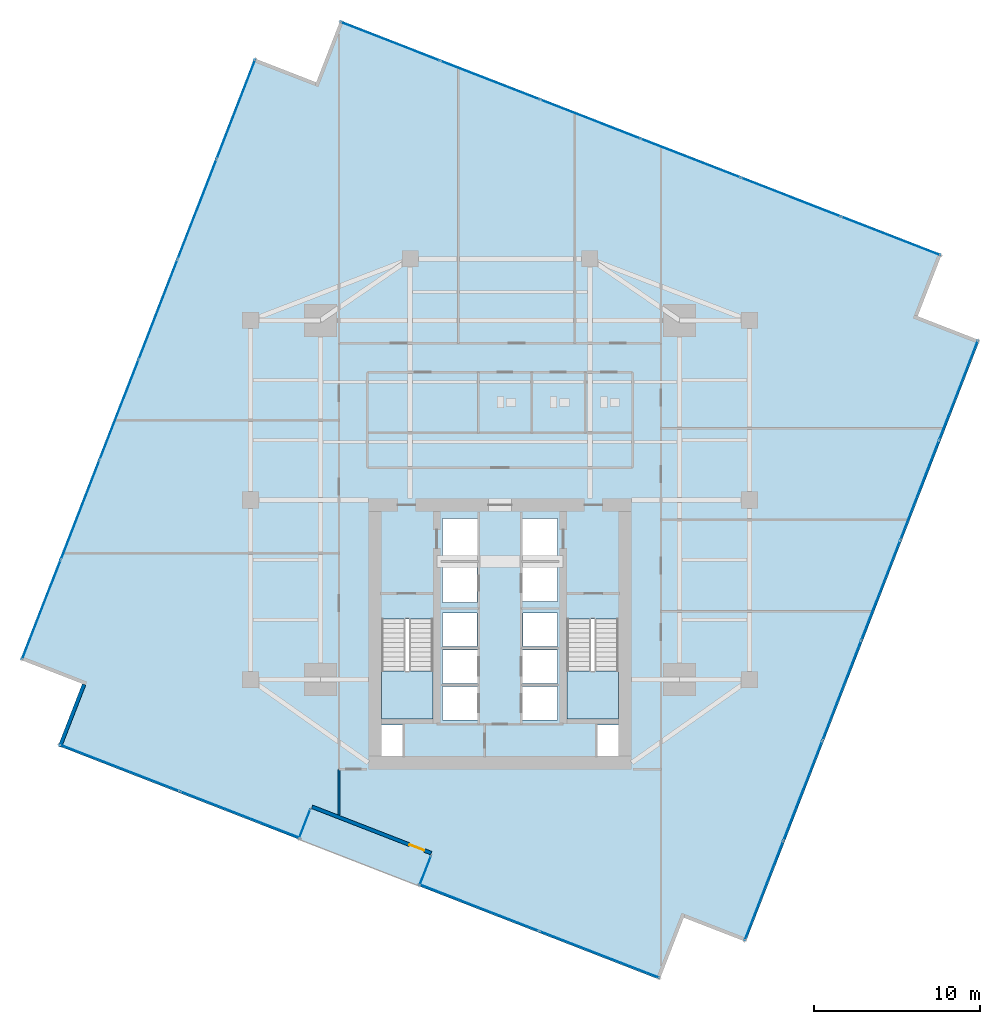
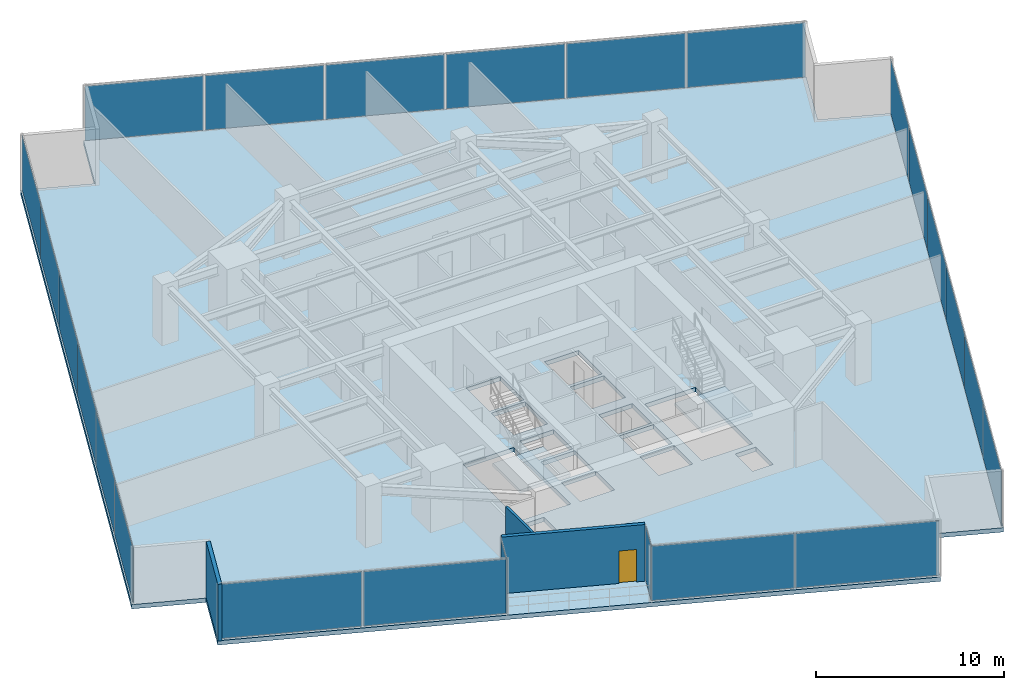
# One storey, part 21 of 26: 24 plates, 3 slabs, 3 walls, 1 door, 1 opening, 9 elements without a shape of their own.
"""IFC4 building model written with IfcOpenShell, lengths in metres."""

from ifc_helpers import new_model, si_unit, direction, frame, frame_2d, origin, origin_2d, place, context, subcontext, project, spatial, polyline, rectangle, outline, extrude, source, transform, mapped, material, layer, layer_set, type_object, type_shapes, element, fill, aggregate, save


model = new_model("IFC4")

# Units and contexts
model_context = context("Model", 3, precision=1e-05, world=origin(), true_north=direction((0.0, 1.0)))
body_context = subcontext(model_context, "Body", "Model", "MODEL_VIEW")
ifc_project = project(units=[si_unit("LENGTHUNIT", "METRE"), si_unit("AREAUNIT", "SQUARE_METRE"), si_unit("VOLUMEUNIT", "CUBIC_METRE"), si_unit("PLANEANGLEUNIT", "RADIAN"), si_unit("MASSUNIT", "GRAM", prefix="KILO")], contexts=[model_context])

# Site, building, storey
site_placement = place(None, origin())
site = spatial("IfcSite", under=ifc_project, at=site_placement, CompositionType="ELEMENT")
building_placement = place(site_placement, origin())
building = spatial("IfcBuilding", under=site, at=building_placement, Name="Krantzveldt Concourse Tower", CompositionType="ELEMENT")
storey_placement = place(building_placement, frame((0.0, 0.0, 129.550048828125)))
storey = spatial("IfcBuildingStorey", under=building, at=storey_placement, Name="L31", CompositionType="ELEMENT", Elevation=129.550048828125)

# Stair, slab
ifc_material_1 = material(Name="Precast concrete C40/50", Category="concrete")
stair_type = type_object("IfcStairType", Name="STR-CORE-DOGLEG", PredefinedType="HALF_TURN_STAIR", material=ifc_material_1)
stair_1_placement = place(storey_placement, origin())
stair_1 = element("IfcStair", 1, at=stair_1_placement, inside=storey, type_object=stair_type, Name="L31 Protected Escape Stair ST-1", PredefinedType="HALF_TURN_STAIR")
ifc_layer_1 = layer(ifc_material_1, 0.199951171875, Name="Precast concrete C40/50", Category="concrete")
ifc_layer_set_1 = layer_set([ifc_layer_1], Name="Precast concrete C40/50 (SL-LANDING-200)")
slab_type_1 = type_object("IfcSlabType", Name="SL-LANDING-200", PredefinedType="LANDING", material=ifc_layer_set_1)
slab_1_placement = place(storey_placement, frame((0.0, 0.0, 1.77490234375)))
slab_1 = element("IfcSlab", 2, at=slab_1_placement, type_object=slab_type_1, Name="ST-1 landing 1", PredefinedType="LANDING", context=body_context, shape_type="SweptSolid", body=[
    extrude(outline(polyline([(28.8798828125, 16.4150390625), (28.8798828125, 13.52001953125), (31.97998046875, 13.52001953125), (31.97998046875, 16.4150390625), (28.8798828125, 16.4150390625)])), origin(), (0.0, 0.0, 1.0), 0.199951171875),
])
aggregate(stair_1, [slab_1])

stair_2_placement = place(storey_placement, origin())
stair_2 = element("IfcStair", 3, at=stair_2_placement, inside=storey, type_object=stair_type, Name="L31 Protected Escape Stair ST-2", PredefinedType="HALF_TURN_STAIR")
slab_2_placement = place(storey_placement, frame((0.0, 0.0, 1.77490234375)))
slab_2 = element("IfcSlab", 4, at=slab_2_placement, type_object=slab_type_1, Name="ST-2 landing 1", PredefinedType="LANDING", context=body_context, shape_type="SweptSolid", body=[
    extrude(outline(polyline([(40.02001953125, 16.4150390625), (40.02001953125, 13.52001953125), (43.1201171875, 13.52001953125), (43.1201171875, 16.4150390625), (40.02001953125, 16.4150390625)])), origin(), (0.0, 0.0, 1.0), 0.199951171875),
])
aggregate(stair_2, [slab_2])

# Slab
ifc_material_2 = material(Name="Concrete C40/50", Category="concrete")
ifc_layer_2 = layer(ifc_material_2, 0.280029296875, Name="Concrete C40/50", Category="concrete")
ifc_layer_set_2 = layer_set([ifc_layer_2], Name="Concrete C40/50 (SL-SL-TER280)")
slab_type_2 = type_object("IfcSlabType", Name="SL-SL-TER280", PredefinedType="FLOOR", material=ifc_layer_set_2)
slab_3_placement = place(storey_placement, frame((0.0, 0.0, -0.280029296875)))
element("IfcSlab", 5, at=slab_3_placement, inside=storey, type_object=slab_type_2, Name="SL-L31-MAIN", PredefinedType="FLOOR", context=body_context, shape_type="SweptSolid", body=[
    extrude(outline(polyline([(24.950439453125, 51.812255859375), (21.222412109375, 53.261962890625), (7.15966796875, 17.10009765625), (10.8876953125, 15.650390625), (9.43798828125, 11.92236328125), (45.599853515625, -2.140380859375), (47.049560546875, 1.587646484375), (50.777587890625, 0.137939453125), (64.84033203125, 36.2998046875), (61.1123046875, 37.749755859375), (62.56201171875, 41.477783203125), (26.400146484375, 55.540283203125), (24.950439453125, 51.812255859375)]), holes=[polyline([(28.8798828125, 19.547607421875), (28.8798828125, 13.52001953125), (31.97998046875, 13.52001953125), (31.97998046875, 19.547607421875), (28.8798828125, 19.547607421875)]), polyline([(40.02001953125, 19.547607421875), (40.02001953125, 13.52001953125), (43.1201171875, 13.52001953125), (43.1201171875, 19.547607421875), (40.02001953125, 19.547607421875)]), polyline([(32.550048828125, 23.10009765625), (34.64990234375, 23.10009765625), (34.64990234375, 25.60009765625), (32.550048828125, 25.60009765625), (32.550048828125, 23.10009765625)]), polyline([(37.35009765625, 23.10009765625), (39.449951171875, 23.10009765625), (39.449951171875, 25.60009765625), (37.35009765625, 25.60009765625), (37.35009765625, 23.10009765625)]), polyline([(37.35009765625, 20.60009765625), (39.449951171875, 20.60009765625), (39.449951171875, 22.89990234375), (37.35009765625, 22.89990234375), (37.35009765625, 20.60009765625)]), polyline([(32.550048828125, 13.47998046875), (34.64990234375, 13.47998046875), (34.64990234375, 15.47998046875), (32.550048828125, 15.47998046875), (32.550048828125, 13.47998046875)]), polyline([(32.550048828125, 15.679931640625), (34.64990234375, 15.679931640625), (34.64990234375, 17.679931640625), (32.550048828125, 17.679931640625), (32.550048828125, 15.679931640625)]), polyline([(37.35009765625, 13.47998046875), (39.449951171875, 13.47998046875), (39.449951171875, 15.47998046875), (37.35009765625, 15.47998046875), (37.35009765625, 13.47998046875)]), polyline([(37.35009765625, 15.679931640625), (39.449951171875, 15.679931640625), (39.449951171875, 17.679931640625), (37.35009765625, 17.679931640625), (37.35009765625, 15.679931640625)]), polyline([(32.550048828125, 20.550048828125), (34.6201171875, 20.550048828125), (34.6201171875, 22.89990234375), (32.550048828125, 22.89990234375), (32.550048828125, 20.550048828125)]), polyline([(32.550048828125, 17.8798828125), (34.6201171875, 17.8798828125), (34.6201171875, 19.919921875), (32.550048828125, 19.919921875), (32.550048828125, 17.8798828125)]), polyline([(37.3798828125, 17.8798828125), (39.449951171875, 17.8798828125), (39.449951171875, 19.919921875), (37.3798828125, 19.919921875), (37.3798828125, 17.8798828125)]), polyline([(28.8798828125, 11.320068359375), (30.139892578125, 11.320068359375), (30.139892578125, 13.159912109375), (28.8798828125, 13.159912109375), (28.8798828125, 11.320068359375)]), polyline([(41.860107421875, 11.320068359375), (43.1201171875, 11.320068359375), (43.1201171875, 13.159912109375), (41.860107421875, 13.159912109375), (41.860107421875, 11.320068359375)])]), origin(), (0.0, 0.0, 1.0), 0.280029296875),
])

# Curtain wall, plate
ifc_material_3 = material(Name="Anodised aluminium 6063-T6", Category="aluminium")
curtain_wall_type_1 = type_object("IfcCurtainWallType", Name="CW6", PredefinedType="USERDEFINED", material=ifc_material_3)
curtain_wall_1_placement = place(storey_placement, origin())
curtain_wall_1 = element("IfcCurtainWall", 6, at=curtain_wall_1_placement, inside=storey, type_object=curtain_wall_type_1, Name="CW-L31-TR05", ObjectType="UNITISED CURTAIN WALL", PredefinedType="USERDEFINED")
ifc_material_4 = material(Name="Bronze-tinted laminated low-E IGU glass", Category="glass")
ifc_layer_3 = layer(ifc_material_4, 0.031982421875, Name="Bronze-tinted laminated low-E IGU glass", Category="glass")
ifc_layer_set_3 = layer_set([ifc_layer_3], Name="Bronze-tinted laminated low-E IGU glass (CW-GLZ-32)")
plate_type = type_object("IfcPlateType", Name="CW-GLZ-32", PredefinedType="CURTAIN_PANEL", material=ifc_layer_set_3)
shared_shape_1 = source(origin(), body_context, "Body", "SweptSolid", [
    extrude(rectangle(XDim=1.860107421875, YDim=0.031982421875, at=origin_2d()), origin(), (0.0, 0.0, 1.0), 3.530029296875),
])
plate_1_placement = place(storey_placement, frame((24.255859375, 7.23291015625, 0.06982421875), z_axis=(0.0, 0.0, 1.0), x_axis=(0.36243902256, 0.932007486518, 0.0)))
plate_1 = element("IfcPlate", 7, at=plate_1_placement, type_object=plate_type, Name="CW-TERR panel 1.1", PredefinedType="CURTAIN_PANEL", context=body_context, shape_type="MappedRepresentation", body=[
    mapped(shared_shape_1, transform((0.0, 0.0, 0.0), x_axis=(1.0, 0.0, 0.0), y_axis=(0.0, 1.0, 0.0), z_axis=(0.0, 0.0, 1.0), scale=1.0)),
])
aggregate(curtain_wall_1, [plate_1])

curtain_wall_2_placement = place(storey_placement, origin())
curtain_wall_2 = element("IfcCurtainWall", 8, at=curtain_wall_2_placement, inside=storey, type_object=curtain_wall_type_1, Name="CW-L31-TR07", ObjectType="UNITISED CURTAIN WALL", PredefinedType="USERDEFINED")
plate_2_placement = place(storey_placement, frame((31.5068359375, 4.4130859375, 0.06982421875), z_axis=(0.0, 0.0, 1.0), x_axis=(-0.36243902256, -0.932007486518, 0.0)))
plate_2 = element("IfcPlate", 9, at=plate_2_placement, type_object=plate_type, Name="CW-TERR panel 1.1", PredefinedType="CURTAIN_PANEL", context=body_context, shape_type="MappedRepresentation", body=[
    mapped(shared_shape_1, transform((0.0, 0.0, 0.0), x_axis=(1.0, 0.0, 0.0), y_axis=(0.0, 1.0, 0.0), z_axis=(0.0, 0.0, 1.0), scale=1.0)),
])
aggregate(curtain_wall_2, [plate_2])

# Curtain wall, plates
curtain_wall_type_2 = type_object("IfcCurtainWallType", Name="CW2", PredefinedType="USERDEFINED", material=ifc_material_3)
curtain_wall_3_placement = place(storey_placement, origin())
curtain_wall_3 = element("IfcCurtainWall", 10, at=curtain_wall_3_placement, inside=storey, type_object=curtain_wall_type_2, Name="CW-L31-F01", ObjectType="UNITISED CURTAIN WALL", PredefinedType="USERDEFINED")
shared_shape_2 = source(origin(), body_context, "Body", "SweptSolid", [
    extrude(rectangle(XDim=6.361572265625, YDim=0.031982421875, at=origin_2d()), origin(), (0.0, 0.0, 1.0), 3.530029296875),
])
plate_3_placement = place(storey_placement, frame((20.1279296875, 50.199462890625, 0.06982421875), z_axis=(0.0, 0.0, 1.0), x_axis=(-0.362437952917, -0.93200790248, 0.0)))
plate_3 = element("IfcPlate", 11, at=plate_3_placement, type_object=plate_type, Name="CW-Z12 panel 1.1", PredefinedType="CURTAIN_PANEL", context=body_context, shape_type="MappedRepresentation", body=[
    mapped(shared_shape_2, transform((0.0, 0.0, 0.0), x_axis=(1.0, 0.0, 0.0), y_axis=(0.0, 1.0, 0.0), z_axis=(0.0, 0.0, 1.0), scale=1.0)),
])
plate_4_placement = place(storey_placement, frame((8.421875, 20.09716796875, 0.06982421875), z_axis=(0.0, 0.0, 1.0), x_axis=(-0.362437952917, -0.93200790248, 0.0)))
plate_4 = element("IfcPlate", 12, at=plate_4_placement, type_object=plate_type, Name="CW-Z12 panel 6.1", PredefinedType="CURTAIN_PANEL", context=body_context, shape_type="MappedRepresentation", body=[
    mapped(shared_shape_2, transform((0.0, 0.0, 0.0), x_axis=(1.0, 0.0, 0.0), y_axis=(0.0, 1.0, 0.0), z_axis=(0.0, 0.0, 1.0), scale=1.0)),
])

curtain_wall_4_placement = place(storey_placement, origin())
curtain_wall_4 = element("IfcCurtainWall", 13, at=curtain_wall_4_placement, inside=storey, type_object=curtain_wall_type_2, Name="CW-L31-F11", ObjectType="UNITISED CURTAIN WALL", PredefinedType="USERDEFINED")
plate_5_placement = place(storey_placement, frame((51.8720703125, 3.200439453125, 0.06982421875), z_axis=(0.0, 0.0, 1.0), x_axis=(0.362437952917, 0.93200790248, 0.0)))
plate_5 = element("IfcPlate", 14, at=plate_5_placement, type_object=plate_type, Name="CW-Z12 panel 1.1", PredefinedType="CURTAIN_PANEL", context=body_context, shape_type="MappedRepresentation", body=[
    mapped(shared_shape_2, transform((0.0, 0.0, 0.0), x_axis=(1.0, 0.0, 0.0), y_axis=(0.0, 1.0, 0.0), z_axis=(0.0, 0.0, 1.0), scale=1.0)),
])
plate_6_placement = place(storey_placement, frame((63.578125, 33.302734375, 0.06982421875), z_axis=(0.0, 0.0, 1.0), x_axis=(0.362437952917, 0.93200790248, 0.0)))
plate_6 = element("IfcPlate", 15, at=plate_6_placement, type_object=plate_type, Name="CW-Z12 panel 6.1", PredefinedType="CURTAIN_PANEL", context=body_context, shape_type="MappedRepresentation", body=[
    mapped(shared_shape_2, transform((0.0, 0.0, 0.0), x_axis=(1.0, 0.0, 0.0), y_axis=(0.0, 1.0, 0.0), z_axis=(0.0, 0.0, 1.0), scale=1.0)),
])

curtain_wall_5_placement = place(storey_placement, origin())
curtain_wall_5 = element("IfcCurtainWall", 16, at=curtain_wall_5_placement, inside=storey, type_object=curtain_wall_type_2, Name="CW-L31-F14", ObjectType="UNITISED CURTAIN WALL", PredefinedType="USERDEFINED")
plate_7_placement = place(storey_placement, frame((59.49951171875, 42.572021484375, 0.06982421875), z_axis=(0.0, 0.0, 1.0), x_axis=(-0.93200790248, 0.362437952917, 0.0)))
plate_7 = element("IfcPlate", 17, at=plate_7_placement, type_object=plate_type, Name="CW-Z12 panel 1.1", PredefinedType="CURTAIN_PANEL", context=body_context, shape_type="MappedRepresentation", body=[
    mapped(shared_shape_2, transform((0.0, 0.0, 0.0), x_axis=(1.0, 0.0, 0.0), y_axis=(0.0, 1.0, 0.0), z_axis=(0.0, 0.0, 1.0), scale=1.0)),
])
plate_8_placement = place(storey_placement, frame((29.397216796875, 54.278076171875, 0.06982421875), z_axis=(0.0, 0.0, 1.0), x_axis=(-0.93200790248, 0.362437952917, 0.0)))
plate_8 = element("IfcPlate", 18, at=plate_8_placement, type_object=plate_type, Name="CW-Z12 panel 6.1", PredefinedType="CURTAIN_PANEL", context=body_context, shape_type="MappedRepresentation", body=[
    mapped(shared_shape_2, transform((0.0, 0.0, 0.0), x_axis=(1.0, 0.0, 0.0), y_axis=(0.0, 1.0, 0.0), z_axis=(0.0, 0.0, 1.0), scale=1.0)),
])

# Plate
shared_shape_3 = source(origin(), body_context, "Body", "SweptSolid", [
    extrude(rectangle(XDim=6.396728515625, YDim=0.031982421875, at=origin_2d()), origin(), (0.0, 0.0, 1.0), 3.530029296875),
])
plate_9_placement = place(storey_placement, frame((17.79052734375, 44.18896484375, 0.06982421875), z_axis=(0.0, 0.0, 1.0), x_axis=(-0.362437952917, -0.93200790248, 0.0)))
plate_9 = element("IfcPlate", 19, at=plate_9_placement, type_object=plate_type, Name="CW-Z12 panel 2.1", PredefinedType="CURTAIN_PANEL", context=body_context, shape_type="MappedRepresentation", body=[
    mapped(shared_shape_3, transform((0.0, 0.0, 0.0), x_axis=(1.0, 0.0, 0.0), y_axis=(0.0, 1.0, 0.0), z_axis=(0.0, 0.0, 1.0), scale=1.0)),
])

plate_10_placement = place(storey_placement, frame((15.44677734375, 38.161865234375, 0.06982421875), z_axis=(0.0, 0.0, 1.0), x_axis=(-0.362437952917, -0.93200790248, 0.0)))
plate_10 = element("IfcPlate", 20, at=plate_10_placement, type_object=plate_type, Name="CW-Z12 panel 3.1", PredefinedType="CURTAIN_PANEL", context=body_context, shape_type="MappedRepresentation", body=[
    mapped(shared_shape_3, transform((0.0, 0.0, 0.0), x_axis=(1.0, 0.0, 0.0), y_axis=(0.0, 1.0, 0.0), z_axis=(0.0, 0.0, 1.0), scale=1.0)),
])

plate_11_placement = place(storey_placement, frame((13.10302734375, 32.135009765625, 0.06982421875), z_axis=(0.0, 0.0, 1.0), x_axis=(-0.362437952917, -0.93200790248, 0.0)))
plate_11 = element("IfcPlate", 21, at=plate_11_placement, type_object=plate_type, Name="CW-Z12 panel 4.1", PredefinedType="CURTAIN_PANEL", context=body_context, shape_type="MappedRepresentation", body=[
    mapped(shared_shape_3, transform((0.0, 0.0, 0.0), x_axis=(1.0, 0.0, 0.0), y_axis=(0.0, 1.0, 0.0), z_axis=(0.0, 0.0, 1.0), scale=1.0)),
])

plate_12_placement = place(storey_placement, frame((10.75927734375, 26.10791015625, 0.06982421875), z_axis=(0.0, 0.0, 1.0), x_axis=(-0.362437952917, -0.93200790248, 0.0)))
plate_12 = element("IfcPlate", 22, at=plate_12_placement, type_object=plate_type, Name="CW-Z12 panel 5.1", PredefinedType="CURTAIN_PANEL", context=body_context, shape_type="MappedRepresentation", body=[
    mapped(shared_shape_3, transform((0.0, 0.0, 0.0), x_axis=(1.0, 0.0, 0.0), y_axis=(0.0, 1.0, 0.0), z_axis=(0.0, 0.0, 1.0), scale=1.0)),
])

aggregate(curtain_wall_3, [plate_3, plate_9, plate_10, plate_11, plate_12, plate_4])

plate_13_placement = place(storey_placement, frame((54.20947265625, 9.211181640625, 0.06982421875), z_axis=(0.0, 0.0, 1.0), x_axis=(0.362437952917, 0.93200790248, 0.0)))
plate_13 = element("IfcPlate", 23, at=plate_13_placement, type_object=plate_type, Name="CW-Z12 panel 2.1", PredefinedType="CURTAIN_PANEL", context=body_context, shape_type="MappedRepresentation", body=[
    mapped(shared_shape_3, transform((0.0, 0.0, 0.0), x_axis=(1.0, 0.0, 0.0), y_axis=(0.0, 1.0, 0.0), z_axis=(0.0, 0.0, 1.0), scale=1.0)),
])

plate_14_placement = place(storey_placement, frame((56.55322265625, 15.238037109375, 0.06982421875), z_axis=(0.0, 0.0, 1.0), x_axis=(0.362437952917, 0.93200790248, 0.0)))
plate_14 = element("IfcPlate", 24, at=plate_14_placement, type_object=plate_type, Name="CW-Z12 panel 3.1", PredefinedType="CURTAIN_PANEL", context=body_context, shape_type="MappedRepresentation", body=[
    mapped(shared_shape_3, transform((0.0, 0.0, 0.0), x_axis=(1.0, 0.0, 0.0), y_axis=(0.0, 1.0, 0.0), z_axis=(0.0, 0.0, 1.0), scale=1.0)),
])

plate_15_placement = place(storey_placement, frame((58.89697265625, 21.26513671875, 0.06982421875), z_axis=(0.0, 0.0, 1.0), x_axis=(0.362437952917, 0.93200790248, 0.0)))
plate_15 = element("IfcPlate", 25, at=plate_15_placement, type_object=plate_type, Name="CW-Z12 panel 4.1", PredefinedType="CURTAIN_PANEL", context=body_context, shape_type="MappedRepresentation", body=[
    mapped(shared_shape_3, transform((0.0, 0.0, 0.0), x_axis=(1.0, 0.0, 0.0), y_axis=(0.0, 1.0, 0.0), z_axis=(0.0, 0.0, 1.0), scale=1.0)),
])

plate_16_placement = place(storey_placement, frame((61.24072265625, 27.2919921875, 0.06982421875), z_axis=(0.0, 0.0, 1.0), x_axis=(0.362437952917, 0.93200790248, 0.0)))
plate_16 = element("IfcPlate", 26, at=plate_16_placement, type_object=plate_type, Name="CW-Z12 panel 5.1", PredefinedType="CURTAIN_PANEL", context=body_context, shape_type="MappedRepresentation", body=[
    mapped(shared_shape_3, transform((0.0, 0.0, 0.0), x_axis=(1.0, 0.0, 0.0), y_axis=(0.0, 1.0, 0.0), z_axis=(0.0, 0.0, 1.0), scale=1.0)),
])

aggregate(curtain_wall_4, [plate_5, plate_13, plate_14, plate_15, plate_16, plate_6])

plate_17_placement = place(storey_placement, frame((53.489013671875, 44.909423828125, 0.06982421875), z_axis=(0.0, 0.0, 1.0), x_axis=(-0.93200790248, 0.362437952917, 0.0)))
plate_17 = element("IfcPlate", 27, at=plate_17_placement, type_object=plate_type, Name="CW-Z12 panel 2.1", PredefinedType="CURTAIN_PANEL", context=body_context, shape_type="MappedRepresentation", body=[
    mapped(shared_shape_3, transform((0.0, 0.0, 0.0), x_axis=(1.0, 0.0, 0.0), y_axis=(0.0, 1.0, 0.0), z_axis=(0.0, 0.0, 1.0), scale=1.0)),
])

plate_18_placement = place(storey_placement, frame((47.4619140625, 47.253173828125, 0.06982421875), z_axis=(0.0, 0.0, 1.0), x_axis=(-0.93200790248, 0.362437952917, 0.0)))
plate_18 = element("IfcPlate", 28, at=plate_18_placement, type_object=plate_type, Name="CW-Z12 panel 3.1", PredefinedType="CURTAIN_PANEL", context=body_context, shape_type="MappedRepresentation", body=[
    mapped(shared_shape_3, transform((0.0, 0.0, 0.0), x_axis=(1.0, 0.0, 0.0), y_axis=(0.0, 1.0, 0.0), z_axis=(0.0, 0.0, 1.0), scale=1.0)),
])

plate_19_placement = place(storey_placement, frame((41.43505859375, 49.596923828125, 0.06982421875), z_axis=(0.0, 0.0, 1.0), x_axis=(-0.93200790248, 0.362437952917, 0.0)))
plate_19 = element("IfcPlate", 29, at=plate_19_placement, type_object=plate_type, Name="CW-Z12 panel 4.1", PredefinedType="CURTAIN_PANEL", context=body_context, shape_type="MappedRepresentation", body=[
    mapped(shared_shape_3, transform((0.0, 0.0, 0.0), x_axis=(1.0, 0.0, 0.0), y_axis=(0.0, 1.0, 0.0), z_axis=(0.0, 0.0, 1.0), scale=1.0)),
])

plate_20_placement = place(storey_placement, frame((35.407958984375, 51.940673828125, 0.06982421875), z_axis=(0.0, 0.0, 1.0), x_axis=(-0.93200790248, 0.362437952917, 0.0)))
plate_20 = element("IfcPlate", 30, at=plate_20_placement, type_object=plate_type, Name="CW-Z12 panel 5.1", PredefinedType="CURTAIN_PANEL", context=body_context, shape_type="MappedRepresentation", body=[
    mapped(shared_shape_3, transform((0.0, 0.0, 0.0), x_axis=(1.0, 0.0, 0.0), y_axis=(0.0, 1.0, 0.0), z_axis=(0.0, 0.0, 1.0), scale=1.0)),
])

aggregate(curtain_wall_5, [plate_7, plate_17, plate_18, plate_19, plate_20, plate_8])

# Curtain wall, plates
curtain_wall_6_placement = place(storey_placement, origin())
curtain_wall_6 = element("IfcCurtainWall", 31, at=curtain_wall_6_placement, inside=storey, type_object=curtain_wall_type_2, Name="CW-L31-F04", ObjectType="UNITISED CURTAIN WALL", PredefinedType="USERDEFINED")
shared_shape_4 = source(origin(), body_context, "Body", "SweptSolid", [
    extrude(rectangle(XDim=7.695068359375, YDim=0.031982421875, at=origin_2d()), origin(), (0.0, 0.0, 1.0), 3.530029296875),
])
type_shapes(plate_type, [shared_shape_1, shared_shape_2, shared_shape_3, shared_shape_4])
plate_21_placement = place(storey_placement, frame((13.121826171875, 10.58642578125, 0.06982421875), z_axis=(0.0, 0.0, 1.0), x_axis=(0.932007919598, -0.362437908899, 0.0)))
plate_21 = element("IfcPlate", 32, at=plate_21_placement, type_object=plate_type, Name="CW-Z12 panel 1.1", PredefinedType="CURTAIN_PANEL", context=body_context, shape_type="MappedRepresentation", body=[
    mapped(shared_shape_4, transform((0.0, 0.0, 0.0), x_axis=(1.0, 0.0, 0.0), y_axis=(0.0, 1.0, 0.0), z_axis=(0.0, 0.0, 1.0), scale=1.0)),
])
plate_22_placement = place(storey_placement, frame((20.35888671875, 7.77197265625, 0.06982421875), z_axis=(0.0, 0.0, 1.0), x_axis=(0.932007919598, -0.362437908899, 0.0)))
plate_22 = element("IfcPlate", 33, at=plate_22_placement, type_object=plate_type, Name="CW-Z12 panel 2.1", PredefinedType="CURTAIN_PANEL", context=body_context, shape_type="MappedRepresentation", body=[
    mapped(shared_shape_4, transform((0.0, 0.0, 0.0), x_axis=(1.0, 0.0, 0.0), y_axis=(0.0, 1.0, 0.0), z_axis=(0.0, 0.0, 1.0), scale=1.0)),
])
aggregate(curtain_wall_6, [plate_21, plate_22])

curtain_wall_7_placement = place(storey_placement, origin())
curtain_wall_7 = element("IfcCurtainWall", 34, at=curtain_wall_7_placement, inside=storey, type_object=curtain_wall_type_2, Name="CW-L31-F08", ObjectType="UNITISED CURTAIN WALL", PredefinedType="USERDEFINED")
plate_23_placement = place(storey_placement, frame((34.744384765625, 2.177734375, 0.06982421875), z_axis=(0.0, 0.0, 1.0), x_axis=(0.932007919598, -0.362437908899, 0.0)))
plate_23 = element("IfcPlate", 35, at=plate_23_placement, type_object=plate_type, Name="CW-Z12 panel 1.1", PredefinedType="CURTAIN_PANEL", context=body_context, shape_type="MappedRepresentation", body=[
    mapped(shared_shape_4, transform((0.0, 0.0, 0.0), x_axis=(1.0, 0.0, 0.0), y_axis=(0.0, 1.0, 0.0), z_axis=(0.0, 0.0, 1.0), scale=1.0)),
])
plate_24_placement = place(storey_placement, frame((41.9814453125, -0.636474609375, 0.06982421875), z_axis=(0.0, 0.0, 1.0), x_axis=(0.932007919598, -0.362437908899, 0.0)))
plate_24 = element("IfcPlate", 36, at=plate_24_placement, type_object=plate_type, Name="CW-Z12 panel 2.1", PredefinedType="CURTAIN_PANEL", context=body_context, shape_type="MappedRepresentation", body=[
    mapped(shared_shape_4, transform((0.0, 0.0, 0.0), x_axis=(1.0, 0.0, 0.0), y_axis=(0.0, 1.0, 0.0), z_axis=(0.0, 0.0, 1.0), scale=1.0)),
])
aggregate(curtain_wall_7, [plate_23, plate_24])

# Wall
ifc_layer_4 = layer(ifc_material_3, 0.219970703125, Name="Anodised aluminium 6063-T6", Category="aluminium")
ifc_layer_set_4 = layer_set([ifc_layer_4], Name="Anodised aluminium 6063-T6 (WL-EXT-NOTCH220)")
wall_type_1 = type_object("IfcWallType", Name="WL-EXT-NOTCH220", PredefinedType="ELEMENTEDWALL", material=ifc_layer_set_4)
wall_1_placement = place(storey_placement, frame((10.990234375, 15.610595703125, 0.0), z_axis=(0.0, 0.0, 1.0), x_axis=(-0.362411136527, -0.932018330357, 0.0)))
element("IfcWall", 37, at=wall_1_placement, inside=storey, type_object=wall_type_1, Name="EW-L31-NCH03", PredefinedType="ELEMENTEDWALL", context=body_context, shape_type="SweptSolid", body=[
    extrude(rectangle(XDim=4.025146484375, YDim=0.219970703125, at=frame_2d((2.0126953125, 0.0))), origin(), (0.0, 0.0, 1.0), 3.669921875),
])

# Wall, opening, door
wall_2_placement = place(storey_placement, frame((31.8671875, 5.4638671875, 0.0), z_axis=(0.0, 0.0, 1.0), x_axis=(-0.931996329979, 0.362467710157, 0.0)))
wall_2 = element("IfcWall", 38, at=wall_2_placement, inside=storey, type_object=wall_type_1, Name="EW-L31-TSLOT", PredefinedType="ELEMENTEDWALL", context=body_context, shape_type="SweptSolid", body=[
    extrude(rectangle(XDim=7.68994140625, YDim=0.219970703125, at=frame_2d((3.844970703125, 0.0))), origin(), (0.0, 0.0, 1.0), 3.669921875),
])
opening_placement = place(wall_2_placement, frame((0.449951171875, 0.0, 0.0)))
opening = element("IfcOpeningElement", 39, at=opening_placement, cuts=wall_2, Name="Opening D-EX95", PredefinedType="OPENING", context=body_context, shape_type="SweptSolid", body=[
    extrude(rectangle(XDim=0.949951171875, YDim=2.10009765625, at=frame_2d((0.47509765625, 1.050048828125))), frame((0.0, 0.1201171875, 0.0), z_axis=(0.0, -1.0, 0.0), x_axis=(1.0, 0.0, 0.0)), (0.0, 0.0, 1.0), 0.239990234375),
])
door_type = type_object("IfcDoorType", Name="DR-EXT-950", OperationType="SINGLE_SWING_LEFT", PredefinedType="DOOR", material=ifc_material_3)
door_placement = place(opening_placement, origin())
door = element("IfcDoor", 40, at=door_placement, inside=storey, type_object=door_type, Name="DR-L31-TERR", OperationType="SINGLE_SWING_LEFT", OverallHeight=2.10009765625, OverallWidth=0.949951171875, PredefinedType="DOOR", context=body_context, shape_type="SweptSolid", body=[
    extrude(rectangle(XDim=0.949951171875, YDim=2.10009765625, at=frame_2d((0.47509765625, 1.050048828125))), frame((0.0, 0.02490234375, 0.0), z_axis=(0.0, -1.0, 0.0), x_axis=(1.0, 0.0, 0.0)), (0.0, 0.0, 1.0), 0.050048828125),
])
fill(opening, door)

# Wall
ifc_material_5 = material(Name="Fire-rated gypsum plasterboard on steel stud", Category="steel")
ifc_layer_5 = layer(ifc_material_5, 0.139892578125, Name="Fire-rated gypsum plasterboard on steel stud", Category="steel")
ifc_layer_set_5 = layer_set([ifc_layer_5], Name="Fire-rated gypsum plasterboard on steel stud (WL-PART-140)")
wall_type_2 = type_object("IfcWallType", Name="WL-PART-140", PredefinedType="PARTITIONING", material=ifc_layer_set_5)
wall_3_placement = place(storey_placement, frame((26.320068359375, 7.74462890625, 0.0), z_axis=(0.0, 0.0, 1.0), x_axis=(0.0, 1.0, 0.0)))
element("IfcWall", 41, at=wall_3_placement, inside=storey, type_object=wall_type_2, Name="WP-L31-SWL", PredefinedType="PARTITIONING", context=body_context, shape_type="SweptSolid", body=[
    extrude(rectangle(XDim=2.75537109375, YDim=0.139892578125, at=frame_2d((1.377685546875, 0.0))), origin(), (0.0, 0.0, 1.0), 3.669921875),
])

save(model, "model.ifc")
